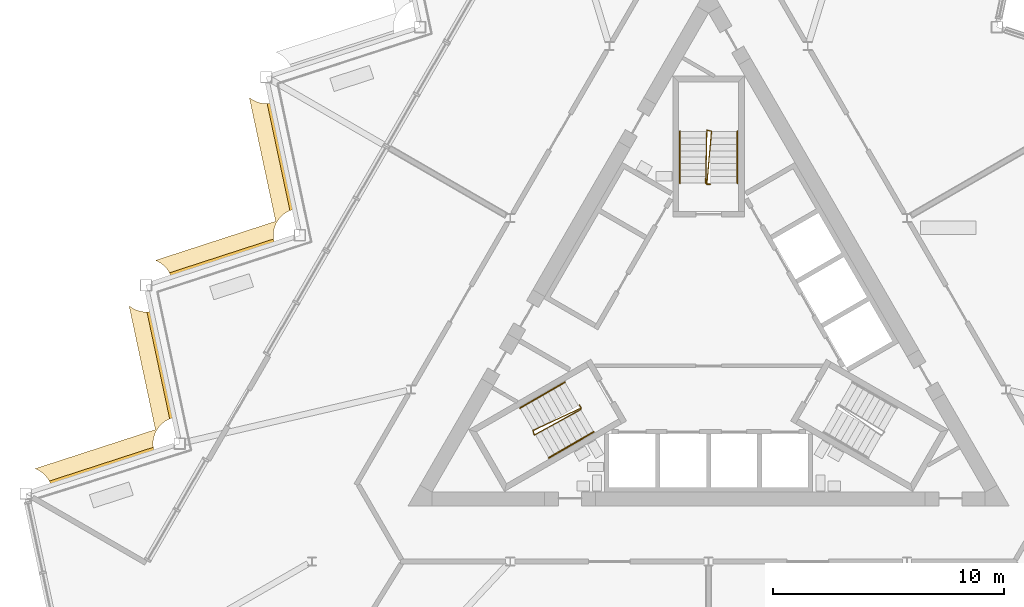
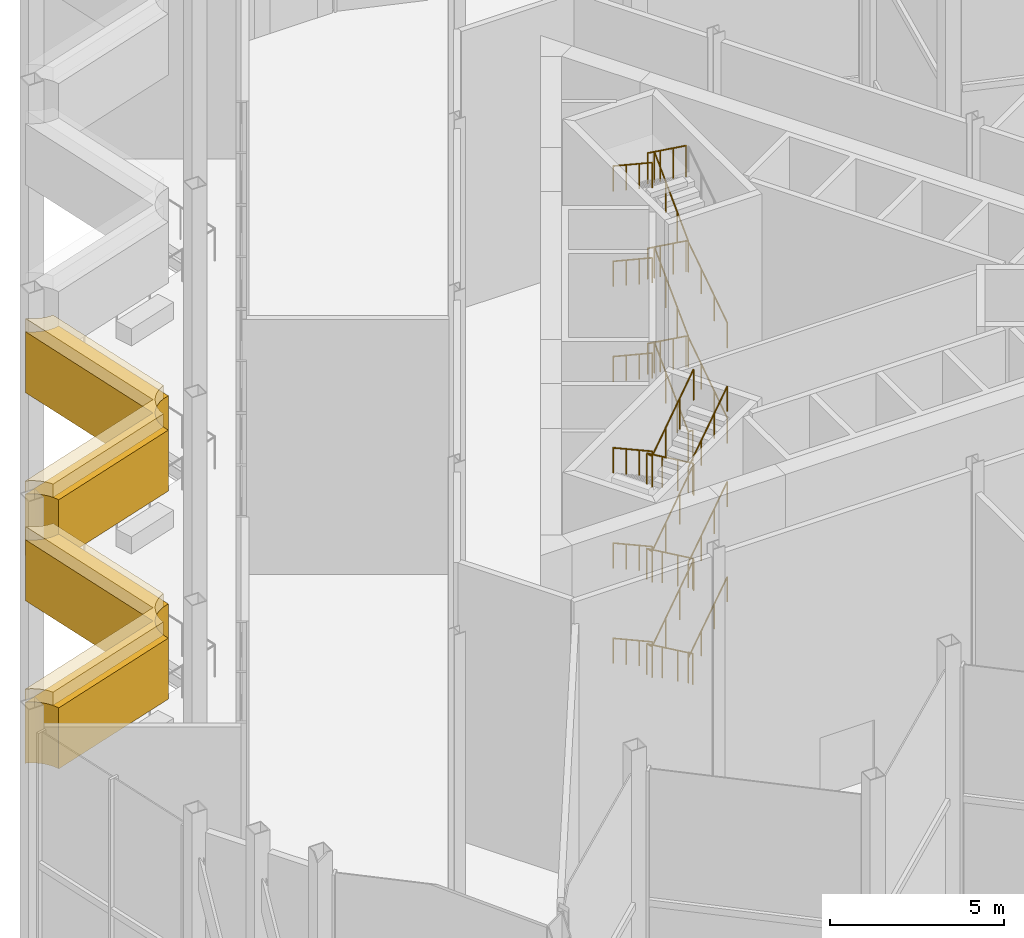
# One storey, part 15 of 18: 13 railings, 4 coverings.
"""IFC4 building model written with IfcOpenShell, lengths in metres."""

from ifc_helpers import new_model, si_unit, direction, frame, origin, origin_2d, place, context, subcontext, project, spatial, polyline, circle, outline, extrude, material, layer, layer_set, type_object, element, save


model = new_model("IFC4")

# Units and contexts
model_context = context("Model", 3, precision=1e-05, world=origin(), true_north=direction((0.0, 1.0)))
body_context = subcontext(model_context, "Body", "Model", "MODEL_VIEW")
ifc_project = project(units=[si_unit("LENGTHUNIT", "METRE"), si_unit("AREAUNIT", "SQUARE_METRE"), si_unit("VOLUMEUNIT", "CUBIC_METRE"), si_unit("PLANEANGLEUNIT", "RADIAN"), si_unit("MASSUNIT", "GRAM", prefix="KILO")], contexts=[model_context])

# Site, building, storey
site_placement = place(None, origin())
site = spatial("IfcSite", under=ifc_project, at=site_placement, CompositionType="ELEMENT")
building_placement = place(site_placement, origin())
building = spatial("IfcBuilding", under=site, at=building_placement, Name="Cormorant Prow Tower", CompositionType="ELEMENT")
storey_placement = place(building_placement, frame((0.0, 0.0, 405.199951171875)))
storey = spatial("IfcBuildingStorey", under=building, at=storey_placement, Name="L93", CompositionType="ELEMENT", Elevation=405.199951171875)

# Railings
ifc_material_1 = material(Name="Stainless steel", Category="steel")
railing_type_1 = type_object("IfcRailingType", Name="Stair guard 1100", PredefinedType="GUARDRAIL", material=ifc_material_1)
railing_1_placement = place(storey_placement, frame((-5.585205078125, -3.137939453125, 0.0)))
element("IfcRailing", 1, at=railing_1_placement, inside=storey, type_object=railing_type_1, Name="L93 ST1 stair guard 1", PredefinedType="GUARDRAIL", context=body_context, shape_type="SweptSolid", body=[
    extrude(circle(Radius=0.02392578125, at=origin_2d()), frame((0.0, 0.0, 1.076171875), z_axis=(0.501036270542, -0.865426285481, 0.0), x_axis=(0.865426285481, 0.501036270542, 0.0)), (0.0, 0.0, 1.0), 0.150146484375),
    extrude(circle(Radius=0.02392578125, at=origin_2d()), frame((0.0751953125, -0.1298828125, 1.076171875), z_axis=(-0.733674800789, -0.342289860769, 0.586991429156), x_axis=(0.422792438952, -0.906226546491, 0.0)), (0.0, 0.0, 1.0), 2.83935546875),
    extrude(circle(Radius=0.02392578125, at=origin_2d()), frame((-2.008056640625, -1.101806640625, 2.74267578125), z_axis=(0.275034262293, -0.961434425515, 0.0), x_axis=(0.961434425515, 0.275034262293, 0.0)), (0.0, 0.0, 1.0), 0.2060546875),
    extrude(circle(Radius=0.02392578125, at=origin_2d()), frame((-1.951416015625, -1.2998046875, 2.74267578125), z_axis=(0.708945260141, 0.388859836343, 0.588374579502), x_axis=(-0.480911908544, 0.87676891837, 0.0)), (0.0, 0.0, 1.0), 2.832763671875),
    extrude(circle(Radius=0.02392578125, at=origin_2d()), frame((0.056884765625, -0.1982421875, 4.40966796875), z_axis=(0.258736085224, 0.965948051503, 0.0), x_axis=(-0.965948051503, 0.258736085224, 0.0)), (0.0, 0.0, 1.0), 0.07080078125),
    extrude(circle(Radius=0.02392578125, at=origin_2d()), frame((0.0751953125, -0.1298828125, 4.40966796875), z_axis=(-0.733711829474, -0.342307136193, 0.586935069494), x_axis=(0.422792438952, -0.906226546491, 0.0)), (0.0, 0.0, 1.0), 2.83935546875),
    extrude(circle(Radius=0.02392578125, at=origin_2d()), frame((-2.008056640625, -1.101806640625, 6.076171875), z_axis=(0.275034262293, -0.961434425515, 0.0), x_axis=(0.961434425515, 0.275034262293, 0.0)), (0.0, 0.0, 1.0), 0.2060546875),
    extrude(circle(Radius=0.02392578125, at=origin_2d()), frame((-1.951416015625, -1.2998046875, 6.076171875), z_axis=(0.708945260141, 0.388859836343, 0.588374579502), x_axis=(-0.480911908544, 0.87676891837, 0.0)), (0.0, 0.0, 1.0), 2.832763671875),
    extrude(circle(Radius=0.02392578125, at=origin_2d()), frame((0.056884765625, -0.1982421875, 7.74267578125), z_axis=(0.258736085224, 0.965948051503, 0.0), x_axis=(-0.965948051503, 0.258736085224, 0.0)), (0.0, 0.0, 1.0), 0.07080078125),
    extrude(circle(Radius=0.02392578125, at=origin_2d()), frame((0.0751953125, -0.1298828125, 7.74267578125), z_axis=(-0.733674800789, -0.342289860769, 0.586991429156), x_axis=(0.422792438952, -0.906226546491, 0.0)), (0.0, 0.0, 1.0), 2.83935546875),
    extrude(circle(Radius=0.02392578125, at=origin_2d()), frame((-2.008056640625, -1.101806640625, 9.40966796875), z_axis=(0.275034262293, -0.961434425515, 0.0), x_axis=(0.961434425515, 0.275034262293, 0.0)), (0.0, 0.0, 1.0), 0.2060546875),
    extrude(circle(Radius=0.02392578125, at=origin_2d()), frame((-1.951416015625, -1.2998046875, 9.40966796875), z_axis=(0.708981209556, 0.388879554767, 0.588318227137), x_axis=(-0.480911908544, 0.87676891837, 0.0)), (0.0, 0.0, 1.0), 2.832763671875),
    extrude(circle(Radius=0.02099609375, at=origin_2d()), origin(), (0.0, 0.0, 1.0), 1.052001953125),
    extrude(circle(Radius=0.02099609375, at=origin_2d()), frame((0.0751953125, -0.1298828125, 0.0)), (0.0, 0.0, 1.0), 1.052001953125),
    extrude(circle(Radius=0.02099609375, at=origin_2d()), frame((-0.619140625, -0.453857421875, 0.5556640625)), (0.0, 0.0, 1.0), 1.052001953125),
    extrude(circle(Radius=0.02099609375, at=origin_2d()), frame((-1.313720703125, -0.77783203125, 1.111083984375)), (0.0, 0.0, 1.0), 1.052001953125),
    extrude(circle(Radius=0.02099609375, at=origin_2d()), frame((-2.008056640625, -1.101806640625, 1.666748046875)), (0.0, 0.0, 1.0), 1.052001953125),
    extrude(circle(Radius=0.02099609375, at=origin_2d()), frame((-1.951416015625, -1.2998046875, 1.666748046875)), (0.0, 0.0, 1.0), 1.052001953125),
    extrude(circle(Radius=0.02099609375, at=origin_2d()), frame((-1.281982421875, -0.9326171875, 2.222412109375)), (0.0, 0.0, 1.0), 1.052001953125),
    extrude(circle(Radius=0.02099609375, at=origin_2d()), frame((-0.612548828125, -0.5654296875, 2.77783203125)), (0.0, 0.0, 1.0), 1.052001953125),
    extrude(circle(Radius=0.02099609375, at=origin_2d()), frame((0.056884765625, -0.1982421875, 3.33349609375)), (0.0, 0.0, 1.0), 1.052001953125),
    extrude(circle(Radius=0.02099609375, at=origin_2d()), frame((0.0751953125, -0.1298828125, 3.33349609375)), (0.0, 0.0, 1.0), 1.052001953125),
    extrude(circle(Radius=0.02099609375, at=origin_2d()), frame((-0.619140625, -0.453857421875, 3.888916015625)), (0.0, 0.0, 1.0), 1.052001953125),
    extrude(circle(Radius=0.02099609375, at=origin_2d()), frame((-1.313720703125, -0.77783203125, 4.444580078125)), (0.0, 0.0, 1.0), 1.052001953125),
    extrude(circle(Radius=0.02099609375, at=origin_2d()), frame((-2.008056640625, -1.101806640625, 5.0)), (0.0, 0.0, 1.0), 1.052001953125),
    extrude(circle(Radius=0.02099609375, at=origin_2d()), frame((-1.951416015625, -1.2998046875, 5.0)), (0.0, 0.0, 1.0), 1.052001953125),
    extrude(circle(Radius=0.02099609375, at=origin_2d()), frame((-1.281982421875, -0.9326171875, 5.5556640625)), (0.0, 0.0, 1.0), 1.052001953125),
    extrude(circle(Radius=0.02099609375, at=origin_2d()), frame((-0.612548828125, -0.5654296875, 6.111083984375)), (0.0, 0.0, 1.0), 1.052001953125),
    extrude(circle(Radius=0.02099609375, at=origin_2d()), frame((0.056884765625, -0.1982421875, 6.666748046875)), (0.0, 0.0, 1.0), 1.052001953125),
    extrude(circle(Radius=0.02099609375, at=origin_2d()), frame((0.0751953125, -0.1298828125, 6.666748046875)), (0.0, 0.0, 1.0), 1.052001953125),
    extrude(circle(Radius=0.02099609375, at=origin_2d()), frame((-0.619140625, -0.453857421875, 7.222412109375)), (0.0, 0.0, 1.0), 1.052001953125),
    extrude(circle(Radius=0.02099609375, at=origin_2d()), frame((-1.313720703125, -0.77783203125, 7.77783203125)), (0.0, 0.0, 1.0), 1.052001953125),
    extrude(circle(Radius=0.02099609375, at=origin_2d()), frame((-2.008056640625, -1.101806640625, 8.33349609375)), (0.0, 0.0, 1.0), 1.052001953125),
    extrude(circle(Radius=0.02099609375, at=origin_2d()), frame((-1.951416015625, -1.2998046875, 8.33349609375)), (0.0, 0.0, 1.0), 1.052001953125),
    extrude(circle(Radius=0.02099609375, at=origin_2d()), frame((-1.281982421875, -0.9326171875, 8.888916015625)), (0.0, 0.0, 1.0), 1.052001953125),
    extrude(circle(Radius=0.02099609375, at=origin_2d()), frame((-0.612548828125, -0.5654296875, 9.444580078125)), (0.0, 0.0, 1.0), 1.052001953125),
    extrude(circle(Radius=0.02099609375, at=origin_2d()), frame((0.056884765625, -0.1982421875, 10.0)), (0.0, 0.0, 1.0), 1.052001953125),
])
railing_2_placement = place(storey_placement, frame((0.074951171875, 6.40576171875, 0.0)))
element("IfcRailing", 2, at=railing_2_placement, inside=storey, type_object=railing_type_1, Name="L93 ST3 stair guard 1", PredefinedType="GUARDRAIL", context=body_context, shape_type="SweptSolid", body=[
    extrude(circle(Radius=0.02392578125, at=origin_2d()), frame((0.0, 0.0, 1.076171875), z_axis=(-1.0, 0.0, 0.0), x_axis=(0.0, -1.0, 0.0)), (0.0, 0.0, 1.0), 0.14990234375),
    extrude(circle(Radius=0.02392578125, at=origin_2d()), frame((-0.14990234375, 0.0, 1.076171875), z_axis=(0.070419712809, 0.806516368928, 0.587002905189), x_axis=(-0.996209839609, 0.086982500921, 0.0)), (0.0, 0.0, 1.0), 2.83935546875),
    extrude(circle(Radius=0.02392578125, at=origin_2d()), frame((0.050048828125, 2.2900390625, 2.74267578125), z_axis=(-0.970072785993, 0.242814311512, 0.0), x_axis=(-0.242814311512, -0.970072785993, 0.0)), (0.0, 0.0, 1.0), 0.2060546875),
    extrude(circle(Radius=0.02392578125, at=origin_2d()), frame((-0.14990234375, 2.340087890625, 2.74267578125), z_axis=(-0.017667533181, -0.80839737189, 0.58837194647), x_axis=(0.999761264773, -0.0218497931, 0.0)), (0.0, 0.0, 1.0), 2.832763671875),
    extrude(circle(Radius=0.02392578125, at=origin_2d()), frame((-0.199951171875, 0.050048828125, 4.40966796875), z_axis=(0.707106781187, -0.707106781187, 0.0), x_axis=(0.707106781187, 0.707106781187, 0.0)), (0.0, 0.0, 1.0), 0.07080078125),
    extrude(circle(Radius=0.02392578125, at=origin_2d()), frame((-0.14990234375, 0.0, 4.40966796875), z_axis=(0.070423267043, 0.80655707553, 0.586946545583), x_axis=(-0.996209839609, 0.086982500921, 0.0)), (0.0, 0.0, 1.0), 2.83935546875),
    extrude(circle(Radius=0.02392578125, at=origin_2d()), frame((0.050048828125, 2.2900390625, 6.076171875), z_axis=(-0.970072785993, 0.242814311512, 0.0), x_axis=(-0.242814311512, -0.970072785993, 0.0)), (0.0, 0.0, 1.0), 0.2060546875),
    extrude(circle(Radius=0.02392578125, at=origin_2d()), frame((-0.14990234375, 2.340087890625, 6.076171875), z_axis=(-0.017667533181, -0.80839737189, 0.58837194647), x_axis=(0.999761264773, -0.0218497931, 0.0)), (0.0, 0.0, 1.0), 2.832763671875),
    extrude(circle(Radius=0.02392578125, at=origin_2d()), frame((-0.199951171875, 0.050048828125, 7.74267578125), z_axis=(0.707106781187, -0.707106781187, 0.0), x_axis=(0.707106781187, 0.707106781187, 0.0)), (0.0, 0.0, 1.0), 0.07080078125),
    extrude(circle(Radius=0.02392578125, at=origin_2d()), frame((-0.14990234375, 0.0, 7.74267578125), z_axis=(0.070419712809, 0.806516368928, 0.587002905189), x_axis=(-0.996209839609, 0.086982500921, 0.0)), (0.0, 0.0, 1.0), 2.83935546875),
    extrude(circle(Radius=0.02392578125, at=origin_2d()), frame((0.050048828125, 2.2900390625, 9.40966796875), z_axis=(-0.970072785993, 0.242814311512, 0.0), x_axis=(-0.242814311512, -0.970072785993, 0.0)), (0.0, 0.0, 1.0), 0.2060546875),
    extrude(circle(Radius=0.02392578125, at=origin_2d()), frame((-0.14990234375, 2.340087890625, 9.40966796875), z_axis=(-0.017668429064, -0.808438363986, 0.58831559409), x_axis=(0.999761264773, -0.0218497931, 0.0)), (0.0, 0.0, 1.0), 2.832763671875),
    extrude(circle(Radius=0.02099609375, at=origin_2d()), origin(), (0.0, 0.0, 1.0), 1.052001953125),
    extrude(circle(Radius=0.02099609375, at=origin_2d()), frame((-0.14990234375, 0.0, 0.0)), (0.0, 0.0, 1.0), 1.052001953125),
    extrude(circle(Radius=0.02099609375, at=origin_2d()), frame((-0.083251953125, 0.763427734375, 0.5556640625)), (0.0, 0.0, 1.0), 1.052001953125),
    extrude(circle(Radius=0.02099609375, at=origin_2d()), frame((-0.0166015625, 1.526611328125, 1.111083984375)), (0.0, 0.0, 1.0), 1.052001953125),
    extrude(circle(Radius=0.02099609375, at=origin_2d()), frame((0.050048828125, 2.2900390625, 1.666748046875)), (0.0, 0.0, 1.0), 1.052001953125),
    extrude(circle(Radius=0.02099609375, at=origin_2d()), frame((-0.14990234375, 2.340087890625, 1.666748046875)), (0.0, 0.0, 1.0), 1.052001953125),
    extrude(circle(Radius=0.02099609375, at=origin_2d()), frame((-0.16650390625, 1.57666015625, 2.222412109375)), (0.0, 0.0, 1.0), 1.052001953125),
    extrude(circle(Radius=0.02099609375, at=origin_2d()), frame((-0.183349609375, 0.8134765625, 2.77783203125)), (0.0, 0.0, 1.0), 1.052001953125),
    extrude(circle(Radius=0.02099609375, at=origin_2d()), frame((-0.199951171875, 0.050048828125, 3.33349609375)), (0.0, 0.0, 1.0), 1.052001953125),
    extrude(circle(Radius=0.02099609375, at=origin_2d()), frame((-0.14990234375, 0.0, 3.33349609375)), (0.0, 0.0, 1.0), 1.052001953125),
    extrude(circle(Radius=0.02099609375, at=origin_2d()), frame((-0.083251953125, 0.763427734375, 3.888916015625)), (0.0, 0.0, 1.0), 1.052001953125),
    extrude(circle(Radius=0.02099609375, at=origin_2d()), frame((-0.0166015625, 1.526611328125, 4.444580078125)), (0.0, 0.0, 1.0), 1.052001953125),
    extrude(circle(Radius=0.02099609375, at=origin_2d()), frame((0.050048828125, 2.2900390625, 5.0)), (0.0, 0.0, 1.0), 1.052001953125),
    extrude(circle(Radius=0.02099609375, at=origin_2d()), frame((-0.14990234375, 2.340087890625, 5.0)), (0.0, 0.0, 1.0), 1.052001953125),
    extrude(circle(Radius=0.02099609375, at=origin_2d()), frame((-0.16650390625, 1.57666015625, 5.5556640625)), (0.0, 0.0, 1.0), 1.052001953125),
    extrude(circle(Radius=0.02099609375, at=origin_2d()), frame((-0.183349609375, 0.8134765625, 6.111083984375)), (0.0, 0.0, 1.0), 1.052001953125),
    extrude(circle(Radius=0.02099609375, at=origin_2d()), frame((-0.199951171875, 0.050048828125, 6.666748046875)), (0.0, 0.0, 1.0), 1.052001953125),
    extrude(circle(Radius=0.02099609375, at=origin_2d()), frame((-0.14990234375, 0.0, 6.666748046875)), (0.0, 0.0, 1.0), 1.052001953125),
    extrude(circle(Radius=0.02099609375, at=origin_2d()), frame((-0.083251953125, 0.763427734375, 7.222412109375)), (0.0, 0.0, 1.0), 1.052001953125),
    extrude(circle(Radius=0.02099609375, at=origin_2d()), frame((-0.0166015625, 1.526611328125, 7.77783203125)), (0.0, 0.0, 1.0), 1.052001953125),
    extrude(circle(Radius=0.02099609375, at=origin_2d()), frame((0.050048828125, 2.2900390625, 8.33349609375)), (0.0, 0.0, 1.0), 1.052001953125),
    extrude(circle(Radius=0.02099609375, at=origin_2d()), frame((-0.14990234375, 2.340087890625, 8.33349609375)), (0.0, 0.0, 1.0), 1.052001953125),
    extrude(circle(Radius=0.02099609375, at=origin_2d()), frame((-0.16650390625, 1.57666015625, 8.888916015625)), (0.0, 0.0, 1.0), 1.052001953125),
    extrude(circle(Radius=0.02099609375, at=origin_2d()), frame((-0.183349609375, 0.8134765625, 9.444580078125)), (0.0, 0.0, 1.0), 1.052001953125),
    extrude(circle(Radius=0.02099609375, at=origin_2d()), frame((-0.199951171875, 0.050048828125, 10.0)), (0.0, 0.0, 1.0), 1.052001953125),
])
ifc_material_2 = material(Name="Stainless steel", Category="steel")
railing_type_2 = type_object("IfcRailingType", Name="Stair handrail 900", PredefinedType="HANDRAIL", material=ifc_material_2)
railing_3_placement = place(storey_placement, frame((-6.212890625, -2.150634765625, 0.185302734375)))
element("IfcRailing", 3, at=railing_3_placement, inside=storey, type_object=railing_type_2, Name="L93 ST1 stair handrail 1", PredefinedType="HANDRAIL", context=body_context, shape_type="SweptSolid", body=[
    extrude(circle(Radius=0.02392578125, at=origin_2d()), frame((0.0, 0.0, 0.8759765625), z_axis=(-0.722363311002, -0.416999812178, 0.551636115172), x_axis=(0.49994888933, -0.866054910533, 0.0)), (0.0, 0.0, 1.0), 2.685546875),
    extrude(circle(Radius=0.02099609375, at=origin_2d()), origin(), (0.0, 0.0, 1.0), 0.851806640625),
    extrude(circle(Radius=0.02099609375, at=origin_2d()), frame((-0.646728515625, -0.373291015625, 0.493896484375)), (0.0, 0.0, 1.0), 0.851806640625),
    extrude(circle(Radius=0.02099609375, at=origin_2d()), frame((-1.293212890625, -0.74658203125, 0.987548828125)), (0.0, 0.0, 1.0), 0.851806640625),
    extrude(circle(Radius=0.02099609375, at=origin_2d()), frame((-1.93994140625, -1.119873046875, 1.4814453125)), (0.0, 0.0, 1.0), 0.851806640625),
])
railing_4_placement = place(storey_placement, frame((-6.90869140625, -5.42529296875, 1.851806640625)))
element("IfcRailing", 4, at=railing_4_placement, inside=storey, type_object=railing_type_2, Name="L93 ST1 stair handrail 2", PredefinedType="HANDRAIL", context=body_context, shape_type="SweptSolid", body=[
    extrude(circle(Radius=0.02392578125, at=origin_2d()), frame((0.0, 0.0, 0.8759765625), z_axis=(0.722256223011, 0.417081378373, 0.551714665507), x_axis=(-0.500077830873, 0.865980463445, 0.0)), (0.0, 0.0, 1.0), 2.685546875),
    extrude(circle(Radius=0.02099609375, at=origin_2d()), origin(), (0.0, 0.0, 1.0), 0.851806640625),
    extrude(circle(Radius=0.02099609375, at=origin_2d()), frame((0.646484375, 0.373291015625, 0.493896484375)), (0.0, 0.0, 1.0), 0.851806640625),
    extrude(circle(Radius=0.02099609375, at=origin_2d()), frame((1.293212890625, 0.746826171875, 0.98779296875)), (0.0, 0.0, 1.0), 0.851806640625),
    extrude(circle(Radius=0.02099609375, at=origin_2d()), frame((1.939697265625, 1.1201171875, 1.481689453125)), (0.0, 0.0, 1.0), 0.851806640625),
])
railing_5_placement = place(storey_placement, frame((-6.212890625, -2.150634765625, 3.5185546875)))
element("IfcRailing", 5, at=railing_5_placement, inside=storey, type_object=railing_type_2, Name="L93 ST1 stair handrail 3", PredefinedType="HANDRAIL", context=body_context, shape_type="SweptSolid", body=[
    extrude(circle(Radius=0.02392578125, at=origin_2d()), frame((0.0, 0.0, 0.8759765625), z_axis=(-0.722363311002, -0.416999812178, 0.551636115172), x_axis=(0.49994888933, -0.866054910533, 0.0)), (0.0, 0.0, 1.0), 2.685546875),
    extrude(circle(Radius=0.02099609375, at=origin_2d()), origin(), (0.0, 0.0, 1.0), 0.851806640625),
    extrude(circle(Radius=0.02099609375, at=origin_2d()), frame((-0.646728515625, -0.373291015625, 0.493896484375)), (0.0, 0.0, 1.0), 0.851806640625),
    extrude(circle(Radius=0.02099609375, at=origin_2d()), frame((-1.293212890625, -0.74658203125, 0.987548828125)), (0.0, 0.0, 1.0), 0.851806640625),
    extrude(circle(Radius=0.02099609375, at=origin_2d()), frame((-1.93994140625, -1.119873046875, 1.4814453125)), (0.0, 0.0, 1.0), 0.851806640625),
])
railing_6_placement = place(storey_placement, frame((-6.90869140625, -5.42529296875, 5.185302734375)))
element("IfcRailing", 6, at=railing_6_placement, inside=storey, type_object=railing_type_2, Name="L93 ST1 stair handrail 4", PredefinedType="HANDRAIL", context=body_context, shape_type="SweptSolid", body=[
    extrude(circle(Radius=0.02392578125, at=origin_2d()), frame((0.0, 0.0, 0.8759765625), z_axis=(0.72229244732, 0.417102296828, 0.551651424838), x_axis=(-0.500077830873, 0.865980463445, 0.0)), (0.0, 0.0, 1.0), 2.685546875),
    extrude(circle(Radius=0.02099609375, at=origin_2d()), origin(), (0.0, 0.0, 1.0), 0.851806640625),
    extrude(circle(Radius=0.02099609375, at=origin_2d()), frame((0.646484375, 0.373291015625, 0.493896484375)), (0.0, 0.0, 1.0), 0.851806640625),
    extrude(circle(Radius=0.02099609375, at=origin_2d()), frame((1.293212890625, 0.746826171875, 0.987548828125)), (0.0, 0.0, 1.0), 0.851806640625),
    extrude(circle(Radius=0.02099609375, at=origin_2d()), frame((1.939697265625, 1.1201171875, 1.4814453125)), (0.0, 0.0, 1.0), 0.851806640625),
])
railing_7_placement = place(storey_placement, frame((-6.212890625, -2.150634765625, 6.851806640625)))
element("IfcRailing", 7, at=railing_7_placement, inside=storey, type_object=railing_type_2, Name="L93 ST1 stair handrail 5", PredefinedType="HANDRAIL", context=body_context, shape_type="SweptSolid", body=[
    extrude(circle(Radius=0.02392578125, at=origin_2d()), frame((0.0, 0.0, 0.8759765625), z_axis=(-0.72232708515, -0.416978900023, 0.551699355622), x_axis=(0.49994888933, -0.866054910533, 0.0)), (0.0, 0.0, 1.0), 2.685791015625),
    extrude(circle(Radius=0.02099609375, at=origin_2d()), origin(), (0.0, 0.0, 1.0), 0.851806640625),
    extrude(circle(Radius=0.02099609375, at=origin_2d()), frame((-0.646728515625, -0.373291015625, 0.493896484375)), (0.0, 0.0, 1.0), 0.851806640625),
    extrude(circle(Radius=0.02099609375, at=origin_2d()), frame((-1.293212890625, -0.74658203125, 0.98779296875)), (0.0, 0.0, 1.0), 0.851806640625),
    extrude(circle(Radius=0.02099609375, at=origin_2d()), frame((-1.93994140625, -1.119873046875, 1.481689453125)), (0.0, 0.0, 1.0), 0.851806640625),
])
railing_8_placement = place(storey_placement, frame((-6.90869140625, -5.42529296875, 8.5185546875)))
element("IfcRailing", 8, at=railing_8_placement, inside=storey, type_object=railing_type_2, Name="L93 ST1 stair handrail 6", PredefinedType="HANDRAIL", context=body_context, shape_type="SweptSolid", body=[
    extrude(circle(Radius=0.02392578125, at=origin_2d()), frame((0.0, 0.0, 0.8759765625), z_axis=(0.72229244732, 0.417102296828, 0.551651424838), x_axis=(-0.500077830873, 0.865980463445, 0.0)), (0.0, 0.0, 1.0), 2.685546875),
    extrude(circle(Radius=0.02099609375, at=origin_2d()), origin(), (0.0, 0.0, 1.0), 0.851806640625),
    extrude(circle(Radius=0.02099609375, at=origin_2d()), frame((0.646484375, 0.373291015625, 0.493896484375)), (0.0, 0.0, 1.0), 0.851806640625),
    extrude(circle(Radius=0.02099609375, at=origin_2d()), frame((1.293212890625, 0.746826171875, 0.987548828125)), (0.0, 0.0, 1.0), 0.851806640625),
    extrude(circle(Radius=0.02099609375, at=origin_2d()), frame((1.939697265625, 1.1201171875, 1.4814453125)), (0.0, 0.0, 1.0), 0.851806640625),
])
railing_9_placement = place(storey_placement, frame((1.243896484375, 6.455810546875, 0.185302734375)))
element("IfcRailing", 9, at=railing_9_placement, inside=storey, type_object=railing_type_2, Name="L93 ST3 stair handrail 1", PredefinedType="HANDRAIL", context=body_context, shape_type="SweptSolid", body=[
    extrude(circle(Radius=0.02392578125, at=origin_2d()), frame((0.0, 0.0, 0.8759765625), z_axis=(0.0, 0.83408660425, 0.551633516577), x_axis=(-1.0, 0.0, 0.0)), (0.0, 0.0, 1.0), 2.685546875),
    extrude(circle(Radius=0.02099609375, at=origin_2d()), origin(), (0.0, 0.0, 1.0), 0.851806640625),
    extrude(circle(Radius=0.02099609375, at=origin_2d()), frame((0.0, 0.74658203125, 0.493896484375)), (0.0, 0.0, 1.0), 0.851806640625),
    extrude(circle(Radius=0.02099609375, at=origin_2d()), frame((0.0, 1.493408203125, 0.987548828125)), (0.0, 0.0, 1.0), 0.851806640625),
    extrude(circle(Radius=0.02099609375, at=origin_2d()), frame((0.0, 2.239990234375, 1.4814453125)), (0.0, 0.0, 1.0), 0.851806640625),
])
railing_10_placement = place(storey_placement, frame((-1.243896484375, 8.69580078125, 1.851806640625)))
element("IfcRailing", 10, at=railing_10_placement, inside=storey, type_object=railing_type_2, Name="L93 ST3 stair handrail 2", PredefinedType="HANDRAIL", context=body_context, shape_type="SweptSolid", body=[
    extrude(circle(Radius=0.02392578125, at=origin_2d()), frame((0.0, 0.0, 0.8759765625), z_axis=(0.0, -0.834044775973, 0.551696756989), x_axis=(1.0, 0.0, 0.0)), (0.0, 0.0, 1.0), 2.685791015625),
    extrude(circle(Radius=0.02099609375, at=origin_2d()), origin(), (0.0, 0.0, 1.0), 0.851806640625),
    extrude(circle(Radius=0.02099609375, at=origin_2d()), frame((0.0, -0.74658203125, 0.493896484375)), (0.0, 0.0, 1.0), 0.851806640625),
    extrude(circle(Radius=0.02099609375, at=origin_2d()), frame((0.0, -1.493408203125, 0.98779296875)), (0.0, 0.0, 1.0), 0.851806640625),
    extrude(circle(Radius=0.02099609375, at=origin_2d()), frame((0.0, -2.239990234375, 1.481689453125)), (0.0, 0.0, 1.0), 0.851806640625),
])
railing_11_placement = place(storey_placement, frame((1.243896484375, 6.455810546875, 3.5185546875)))
element("IfcRailing", 11, at=railing_11_placement, inside=storey, type_object=railing_type_2, Name="L93 ST3 stair handrail 3", PredefinedType="HANDRAIL", context=body_context, shape_type="SweptSolid", body=[
    extrude(circle(Radius=0.02392578125, at=origin_2d()), frame((0.0, 0.0, 0.8759765625), z_axis=(0.0, 0.83408660425, 0.551633516577), x_axis=(-1.0, 0.0, 0.0)), (0.0, 0.0, 1.0), 2.685546875),
    extrude(circle(Radius=0.02099609375, at=origin_2d()), origin(), (0.0, 0.0, 1.0), 0.851806640625),
    extrude(circle(Radius=0.02099609375, at=origin_2d()), frame((0.0, 0.74658203125, 0.493896484375)), (0.0, 0.0, 1.0), 0.851806640625),
    extrude(circle(Radius=0.02099609375, at=origin_2d()), frame((0.0, 1.493408203125, 0.987548828125)), (0.0, 0.0, 1.0), 0.851806640625),
    extrude(circle(Radius=0.02099609375, at=origin_2d()), frame((0.0, 2.239990234375, 1.4814453125)), (0.0, 0.0, 1.0), 0.851806640625),
])
for number, where, name in (
    (12, (-1.243896484375, 8.69580078125, 5.185302734375), "L93 ST3 stair handrail 4"),
    (13, (-1.243896484375, 8.69580078125, 8.5185546875), "L93 ST3 stair handrail 6"),
):
    element("IfcRailing", number, at=place(storey_placement, frame(where)), inside=storey, type_object=railing_type_2, Name=name, PredefinedType="HANDRAIL", context=body_context, shape_type="SweptSolid", body=[
        extrude(circle(Radius=0.02392578125, at=origin_2d()), frame((0.0, 0.0, 0.8759765625), z_axis=(0.0, -0.83408660425, 0.551633516577), x_axis=(1.0, 0.0, 0.0)), (0.0, 0.0, 1.0), 2.685546875),
        extrude(circle(Radius=0.02099609375, at=origin_2d()), origin(), (0.0, 0.0, 1.0), 0.851806640625),
        extrude(circle(Radius=0.02099609375, at=origin_2d()), frame((0.0, -0.74658203125, 0.493896484375)), (0.0, 0.0, 1.0), 0.851806640625),
        extrude(circle(Radius=0.02099609375, at=origin_2d()), frame((0.0, -1.493408203125, 0.987548828125)), (0.0, 0.0, 1.0), 0.851806640625),
        extrude(circle(Radius=0.02099609375, at=origin_2d()), frame((0.0, -2.239990234375, 1.4814453125)), (0.0, 0.0, 1.0), 0.851806640625),
    ])

# Coverings
ifc_material_3 = material(Name="Terracotta", Category="masonry")
ifc_layer = layer(ifc_material_3, 0.89990234375)
ifc_layer_set = layer_set([ifc_layer], Name="Terracotta")
covering_type = type_object("IfcCoveringType", Name="Terrace lintel fascia 900", PredefinedType="CLADDING", material=ifc_layer_set)
covering_1_placement = place(storey_placement, frame((0.0, 0.0, 7.10009765625)))
element("IfcCovering", 14, at=covering_1_placement, inside=storey, type_object=covering_type, Name="Terrace lintel L93 part 2", PredefinedType="CLADDING", context=body_context, shape_type="SweptSolid", body=[
    extrude(outline(polyline([(-23.11279296875, -3.682861328125), (-23.20751953125, -3.706787109375), (-23.31396484375, -3.74462890625), (-23.416015625, -3.79296875), (-23.5126953125, -3.850830078125), (-23.603515625, -3.918212890625), (-23.68701171875, -3.993896484375), (-23.7626953125, -4.07763671875), (-23.830078125, -4.168212890625), (-23.887939453125, -4.264892578125), (-23.936279296875, -4.366943359375), (-23.974365234375, -4.473388671875), (-24.001708984375, -4.582763671875), (-24.018310546875, -4.6943359375), (-24.023681640625, -4.80712890625), (-24.018310546875, -4.919921875), (-24.001708984375, -5.031494140625), (-23.974365234375, -5.14111328125), (-23.966796875, -5.162109375), (-28.435791015625, -6.6142578125), (-28.46630859375, -6.529296875), (-28.514404296875, -6.42724609375), (-28.572509765625, -6.33056640625), (-28.6396484375, -6.239990234375), (-28.71533203125, -6.15625), (-28.799072265625, -6.08056640625), (-28.8896484375, -6.01318359375), (-28.986572265625, -5.955078125), (-29.08837890625, -5.906982421875), (-29.1279296875, -5.892822265625), (-23.922607421875, -4.20166015625), (-25.060302734375, 1.150146484375), (-25.05810546875, 1.148193359375), (-24.967529296875, 1.0810546875), (-24.87060546875, 1.02294921875), (-24.768798828125, 0.974853515625), (-24.662353515625, 0.936767578125), (-24.552978515625, 0.9091796875), (-24.44140625, 0.892822265625), (-24.32861328125, 0.88720703125), (-24.2158203125, 0.892822265625), (-24.104248046875, 0.9091796875), (-24.089599609375, 0.9130859375), (-23.11279296875, -3.682861328125)])), origin(), (0.0, 0.0, 1.0), 2.1337890625),
])
covering_2_placement = place(storey_placement, frame((0.0, 0.0, 7.10009765625)))
element("IfcCovering", 15, at=covering_2_placement, inside=storey, type_object=covering_type, Name="Terrace lintel L93 part 4", PredefinedType="CLADDING", context=body_context, shape_type="SweptSolid", body=[
    extrude(outline(polyline([(-17.912841796875, 5.32373046875), (-18.007568359375, 5.300048828125), (-18.114013671875, 5.261962890625), (-18.2158203125, 5.213623046875), (-18.312744140625, 5.15576171875), (-18.4033203125, 5.08837890625), (-18.487060546875, 5.0126953125), (-18.562744140625, 4.92919921875), (-18.6298828125, 4.83837890625), (-18.68798828125, 4.74169921875), (-18.736328125, 4.6396484375), (-18.7744140625, 4.533447265625), (-18.8017578125, 4.423828125), (-18.818359375, 4.312255859375), (-18.82373046875, 4.199462890625), (-18.818359375, 4.0869140625), (-18.8017578125, 3.97509765625), (-18.7744140625, 3.86572265625), (-18.7666015625, 3.844482421875), (-23.235595703125, 2.392333984375), (-23.26611328125, 2.477294921875), (-23.314453125, 2.579345703125), (-23.372314453125, 2.67626953125), (-23.439697265625, 2.766845703125), (-23.515380859375, 2.850341796875), (-23.59912109375, 2.92626953125), (-23.689697265625, 2.993408203125), (-23.78662109375, 3.051513671875), (-23.888427734375, 3.099609375), (-23.927978515625, 3.11376953125), (-18.72265625, 4.80517578125), (-19.860107421875, 10.15673828125), (-19.858154296875, 10.155029296875), (-19.767578125, 10.087646484375), (-19.670654296875, 10.02978515625), (-19.568603515625, 9.9814453125), (-19.46240234375, 9.943359375), (-19.35302734375, 9.916015625), (-19.2412109375, 9.8994140625), (-19.128662109375, 9.893798828125), (-19.015869140625, 9.8994140625), (-18.904296875, 9.916015625), (-18.8896484375, 9.919677734375), (-17.912841796875, 5.32373046875)])), origin(), (0.0, 0.0, 1.0), 2.1337890625),
])
covering_3_placement = place(storey_placement, frame((0.0, 0.0, 9.23388671875)))
element("IfcCovering", 16, at=covering_3_placement, inside=storey, type_object=covering_type, Name="Terrace lintel L93 head part 2", PredefinedType="CLADDING", context=body_context, shape_type="SweptSolid", body=[
    extrude(outline(polyline([(-23.31396484375, -3.74462890625), (-23.416015625, -3.79296875), (-23.5126953125, -3.850830078125), (-23.603515625, -3.918212890625), (-23.68701171875, -3.993896484375), (-23.7626953125, -4.07763671875), (-23.830078125, -4.168212890625), (-23.887939453125, -4.264892578125), (-23.936279296875, -4.366943359375), (-23.974365234375, -4.473388671875), (-24.001708984375, -4.582763671875), (-24.018310546875, -4.6943359375), (-24.023681640625, -4.80712890625), (-24.018310546875, -4.919921875), (-24.011474609375, -4.966552734375), (-28.513427734375, -6.42919921875), (-28.514404296875, -6.42724609375), (-28.572509765625, -6.33056640625), (-28.6396484375, -6.239990234375), (-28.71533203125, -6.15625), (-28.799072265625, -6.08056640625), (-28.8896484375, -6.01318359375), (-28.986572265625, -5.955078125), (-29.08837890625, -5.906982421875), (-29.1279296875, -5.892822265625), (-23.922607421875, -4.20166015625), (-25.060302734375, 1.150146484375), (-25.05810546875, 1.148193359375), (-24.967529296875, 1.0810546875), (-24.87060546875, 1.02294921875), (-24.768798828125, 0.974853515625), (-24.662353515625, 0.936767578125), (-24.552978515625, 0.9091796875), (-24.44140625, 0.892822265625), (-24.32861328125, 0.88720703125), (-24.2890625, 0.88916015625), (-23.3046875, -3.741455078125), (-23.31396484375, -3.74462890625)])), origin(), (0.0, 0.0, 1.0), 0.466064453125),
])
covering_4_placement = place(storey_placement, frame((0.0, 0.0, 9.23388671875)))
element("IfcCovering", 17, at=covering_4_placement, inside=storey, type_object=covering_type, Name="Terrace lintel L93 head part 4", PredefinedType="CLADDING", context=body_context, shape_type="SweptSolid", body=[
    extrude(outline(polyline([(-18.114013671875, 5.261962890625), (-18.2158203125, 5.213623046875), (-18.312744140625, 5.15576171875), (-18.4033203125, 5.08837890625), (-18.487060546875, 5.0126953125), (-18.562744140625, 4.92919921875), (-18.6298828125, 4.83837890625), (-18.68798828125, 4.74169921875), (-18.736328125, 4.6396484375), (-18.7744140625, 4.533447265625), (-18.8017578125, 4.423828125), (-18.818359375, 4.312255859375), (-18.82373046875, 4.199462890625), (-18.818359375, 4.0869140625), (-18.811279296875, 4.040283203125), (-23.3134765625, 2.577392578125), (-23.314453125, 2.579345703125), (-23.372314453125, 2.67626953125), (-23.439697265625, 2.766845703125), (-23.515380859375, 2.850341796875), (-23.59912109375, 2.92626953125), (-23.689697265625, 2.993408203125), (-23.78662109375, 3.051513671875), (-23.888427734375, 3.099609375), (-23.927978515625, 3.11376953125), (-18.72265625, 4.80517578125), (-19.860107421875, 10.15673828125), (-19.858154296875, 10.155029296875), (-19.767578125, 10.087646484375), (-19.670654296875, 10.02978515625), (-19.568603515625, 9.9814453125), (-19.46240234375, 9.943359375), (-19.35302734375, 9.916015625), (-19.2412109375, 9.8994140625), (-19.128662109375, 9.893798828125), (-19.089111328125, 9.89599609375), (-18.104736328125, 5.26513671875), (-18.114013671875, 5.261962890625)])), origin(), (0.0, 0.0, 1.0), 0.466064453125),
])

save(model, "model.ifc")
